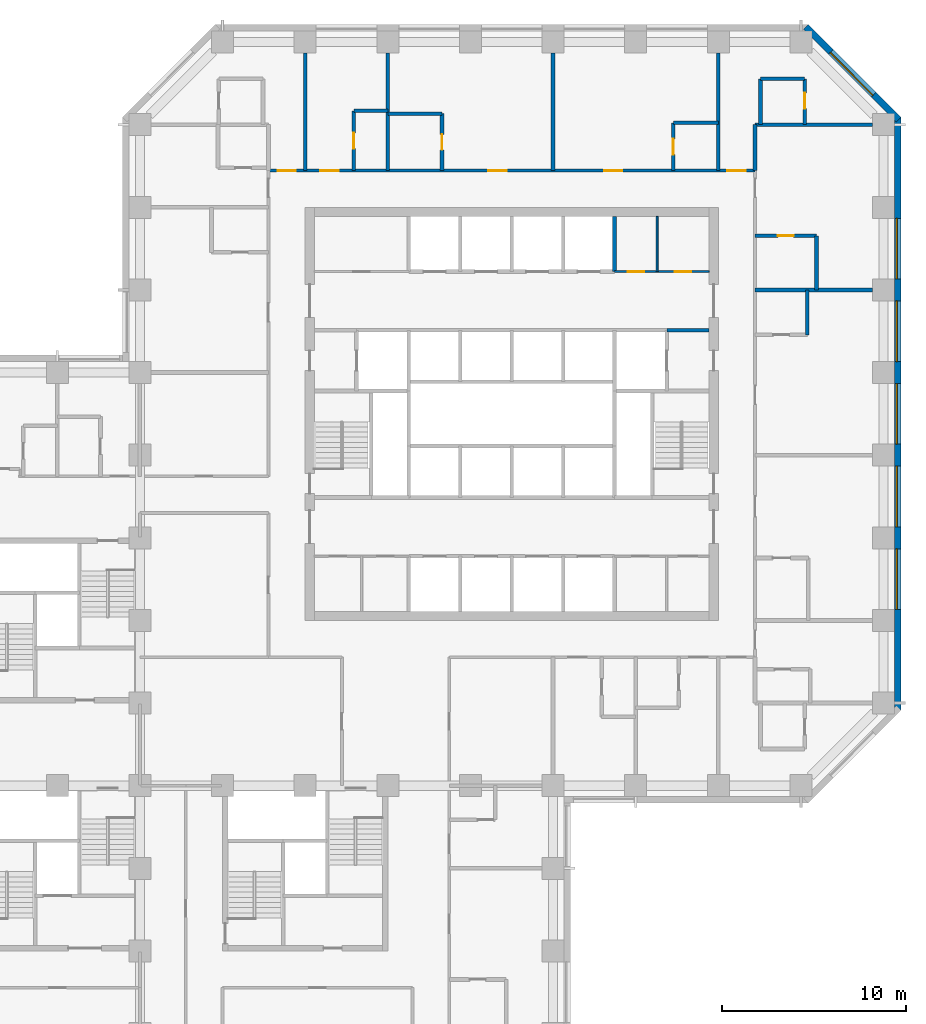
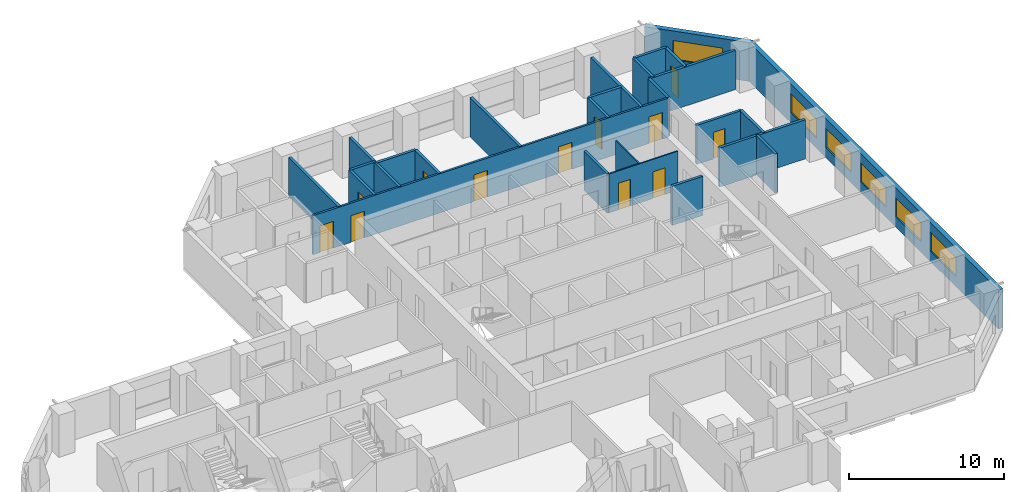
# One storey, part 10 of 13: 26 walls, 12 doors, 6 windows, 18 openings.
"""IFC4 building model written with IfcOpenShell, lengths in metres."""

from ifc_helpers import new_model, si_unit, direction, frame, frame_2d, origin, place, context, subcontext, project, spatial, rectangle, extrude, material, layer, layer_set, constituent, constituent_set, type_object, element, fill, save


model = new_model("IFC4")

# Units and contexts
model_context = context("Model", 3, precision=1e-05, world=origin(), true_north=direction((0.0, 1.0)))
body_context = subcontext(model_context, "Body", "Model", "MODEL_VIEW")
ifc_project = project(units=[si_unit("LENGTHUNIT", "METRE"), si_unit("AREAUNIT", "SQUARE_METRE"), si_unit("VOLUMEUNIT", "CUBIC_METRE"), si_unit("PLANEANGLEUNIT", "RADIAN"), si_unit("MASSUNIT", "GRAM", prefix="KILO")], contexts=[model_context])

# Site, building, storey
site_placement = place(None, origin())
site = spatial("IfcSite", under=ifc_project, at=site_placement, CompositionType="ELEMENT")
building_placement = place(site_placement, origin())
building = spatial("IfcBuilding", under=site, at=building_placement, Name="Quoin Convention Tower", CompositionType="ELEMENT")
storey_placement = place(building_placement, frame((0.0, 0.0, 62.699951171875)))
storey = spatial("IfcBuildingStorey", under=building, at=storey_placement, Name="L16", CompositionType="ELEMENT", Elevation=62.699951171875)

# Wall, openings, windows
ifc_material_1 = material(Name="Brick masonry", Category="masonry")
ifc_layer_1 = layer(ifc_material_1, 0.35009765625)
ifc_layer_set_1 = layer_set([ifc_layer_1], Name="Brick masonry")
wall_type_1 = type_object("IfcWallType", Name="Brick facade wall", PredefinedType="STANDARD", material=ifc_layer_set_1)
wall_1_placement = place(storey_placement, frame((77.27490234375, 44.6064453125, 0.0), z_axis=(0.0, 0.0, 1.0), x_axis=(0.0, 1.0, 0.0)))
wall_1 = element("IfcWall", 1, at=wall_1_placement, inside=storey, type_object=wall_type_1, Name="fw-L16-76500_45000", PredefinedType="STANDARD", context=body_context, shape_type="SweptSolid", body=[
    extrude(rectangle(XDim=32.287109375, YDim=0.35009765625, at=frame_2d((16.1435546875, 0.0))), origin(), (0.0, 0.0, 1.0), 3.054931640625),
])
opening_1_placement = place(wall_1_placement, frame((5.493408203125, 0.0, 0.800048828125)))
opening_1 = element("IfcOpeningElement", 2, at=opening_1_placement, cuts=wall_1, Name="Opening W-01", PredefinedType="OPENING", context=body_context, shape_type="SweptSolid", body=[
    extrude(rectangle(XDim=3.300048828125, YDim=1.5, at=frame_2d((1.64990234375, 0.75))), frame((0.0, 0.18505859375, 0.0), z_axis=(0.0, -1.0, 0.0), x_axis=(1.0, 0.0, 0.0)), (0.0, 0.0, 1.0), 0.3701171875),
])
opening_2_placement = place(wall_1_placement, frame((9.993408203125, 0.0, 0.800048828125)))
opening_2 = element("IfcOpeningElement", 3, at=opening_2_placement, cuts=wall_1, Name="Opening W-01", PredefinedType="OPENING", context=body_context, shape_type="SweptSolid", body=[
    extrude(rectangle(XDim=3.300048828125, YDim=1.5, at=frame_2d((1.64990234375, 0.75))), frame((0.0, 0.18505859375, 0.0), z_axis=(0.0, -1.0, 0.0), x_axis=(1.0, 0.0, 0.0)), (0.0, 0.0, 1.0), 0.3701171875),
])
opening_3_placement = place(wall_1_placement, frame((14.493408203125, 0.0, 0.800048828125)))
opening_3 = element("IfcOpeningElement", 4, at=opening_3_placement, cuts=wall_1, Name="Opening W-01", PredefinedType="OPENING", context=body_context, shape_type="SweptSolid", body=[
    extrude(rectangle(XDim=3.300048828125, YDim=1.5, at=frame_2d((1.64990234375, 0.75))), frame((0.0, 0.18505859375, 0.0), z_axis=(0.0, -1.0, 0.0), x_axis=(1.0, 0.0, 0.0)), (0.0, 0.0, 1.0), 0.3701171875),
])
opening_4_placement = place(wall_1_placement, frame((18.993408203125, 0.0, 0.800048828125)))
opening_4 = element("IfcOpeningElement", 5, at=opening_4_placement, cuts=wall_1, Name="Opening W-01", PredefinedType="OPENING", context=body_context, shape_type="SweptSolid", body=[
    extrude(rectangle(XDim=3.300048828125, YDim=1.5, at=frame_2d((1.64990234375, 0.75))), frame((0.0, 0.18505859375, 0.0), z_axis=(0.0, -1.0, 0.0), x_axis=(1.0, 0.0, 0.0)), (0.0, 0.0, 1.0), 0.3701171875),
])
opening_5_placement = place(wall_1_placement, frame((23.493408203125, 0.0, 0.800048828125)))
opening_5 = element("IfcOpeningElement", 6, at=opening_5_placement, cuts=wall_1, Name="Opening W-01", PredefinedType="OPENING", context=body_context, shape_type="SweptSolid", body=[
    extrude(rectangle(XDim=3.300048828125, YDim=1.5, at=frame_2d((1.64990234375, 0.75))), frame((0.0, 0.18505859375, 0.0), z_axis=(0.0, -1.0, 0.0), x_axis=(1.0, 0.0, 0.0)), (0.0, 0.0, 1.0), 0.3701171875),
])
ifc_material_2 = material(Name="Aluminium", Category="aluminium")
ifc_constituent_1 = constituent(ifc_material_2, Name="Frame")
ifc_material_3 = material(Name="Insulated glass", Category="glass")
ifc_constituent_2 = constituent(ifc_material_3, Name="Glazing")
ifc_constituent_set = constituent_set(constituents=[ifc_constituent_1, ifc_constituent_2], Name="Aluminium")
window_type = type_object("IfcWindowType", Name="Hotel strip window", PartitioningType="DOUBLE_PANEL_VERTICAL", PredefinedType="WINDOW", material=ifc_constituent_set)
window_1_placement = place(opening_1_placement, origin())
window_1 = element("IfcWindow", 7, at=window_1_placement, inside=storey, type_object=window_type, Name="win-L16-77275_51750", OverallHeight=1.5, OverallWidth=3.300048828125, PartitioningType="SINGLE_PANEL", PredefinedType="WINDOW", context=body_context, shape_type="SweptSolid", body=[
    extrude(rectangle(XDim=3.300048828125, YDim=1.5, at=frame_2d((1.64990234375, 0.75))), frame((0.0, 0.0849609375, 0.0), z_axis=(0.0, -1.0, 0.0), x_axis=(1.0, 0.0, 0.0)), (0.0, 0.0, 1.0), 0.06005859375),
])
fill(opening_1, window_1)
window_2_placement = place(opening_2_placement, origin())
window_2 = element("IfcWindow", 8, at=window_2_placement, inside=storey, type_object=window_type, Name="win-L16-77275_56250", OverallHeight=1.5, OverallWidth=3.300048828125, PartitioningType="SINGLE_PANEL", PredefinedType="WINDOW", context=body_context, shape_type="SweptSolid", body=[
    extrude(rectangle(XDim=3.300048828125, YDim=1.5, at=frame_2d((1.64990234375, 0.75))), frame((0.0, 0.0849609375, 0.0), z_axis=(0.0, -1.0, 0.0), x_axis=(1.0, 0.0, 0.0)), (0.0, 0.0, 1.0), 0.06005859375),
])
fill(opening_2, window_2)
window_3_placement = place(opening_3_placement, origin())
window_3 = element("IfcWindow", 9, at=window_3_placement, inside=storey, type_object=window_type, Name="win-L16-77275_60750", OverallHeight=1.5, OverallWidth=3.300048828125, PartitioningType="SINGLE_PANEL", PredefinedType="WINDOW", context=body_context, shape_type="SweptSolid", body=[
    extrude(rectangle(XDim=3.300048828125, YDim=1.5, at=frame_2d((1.64990234375, 0.75))), frame((0.0, 0.0849609375, 0.0), z_axis=(0.0, -1.0, 0.0), x_axis=(1.0, 0.0, 0.0)), (0.0, 0.0, 1.0), 0.06005859375),
])
fill(opening_3, window_3)
window_4_placement = place(opening_4_placement, origin())
window_4 = element("IfcWindow", 10, at=window_4_placement, inside=storey, type_object=window_type, Name="win-L16-77275_65250", OverallHeight=1.5, OverallWidth=3.300048828125, PartitioningType="SINGLE_PANEL", PredefinedType="WINDOW", context=body_context, shape_type="SweptSolid", body=[
    extrude(rectangle(XDim=3.300048828125, YDim=1.5, at=frame_2d((1.64990234375, 0.75))), frame((0.0, 0.0849609375, 0.0), z_axis=(0.0, -1.0, 0.0), x_axis=(1.0, 0.0, 0.0)), (0.0, 0.0, 1.0), 0.06005859375),
])
fill(opening_4, window_4)
window_5_placement = place(opening_5_placement, origin())
window_5 = element("IfcWindow", 11, at=window_5_placement, inside=storey, type_object=window_type, Name="win-L16-77275_69750", OverallHeight=1.5, OverallWidth=3.300048828125, PartitioningType="SINGLE_PANEL", PredefinedType="WINDOW", context=body_context, shape_type="SweptSolid", body=[
    extrude(rectangle(XDim=3.300048828125, YDim=1.5, at=frame_2d((1.64990234375, 0.75))), frame((0.0, 0.0849609375, 0.0), z_axis=(0.0, -1.0, 0.0), x_axis=(1.0, 0.0, 0.0)), (0.0, 0.0, 1.0), 0.06005859375),
])
fill(opening_5, window_5)

# Wall, opening, window
wall_2_placement = place(storey_placement, frame((77.326416015625, 76.769775390625, 0.0), z_axis=(0.0, 0.0, 1.0), x_axis=(-0.707106781187, 0.707106781187, 0.0)))
wall_2 = element("IfcWall", 12, at=wall_2_placement, inside=storey, type_object=wall_type_1, Name="fw-L16-76500_76500", PredefinedType="STANDARD", context=body_context, shape_type="SweptSolid", body=[
    extrude(rectangle(XDim=7.151123046875, YDim=0.35009765625, at=frame_2d((3.57568359375, 0.0))), origin(), (0.0, 0.0, 1.0), 3.054931640625),
])
opening_6_placement = place(wall_2_placement, frame((1.925537109375, 0.0, 0.800048828125)))
opening_6 = element("IfcOpeningElement", 13, at=opening_6_placement, cuts=wall_2, Name="Opening W-01", PredefinedType="OPENING", context=body_context, shape_type="SweptSolid", body=[
    extrude(rectangle(XDim=3.300048828125, YDim=1.5, at=frame_2d((1.64990234375, 0.75))), frame((0.0, 0.18505859375, 0.0), z_axis=(0.0, -1.0, 0.0), x_axis=(1.0, 0.0, 0.0)), (0.0, 0.0, 1.0), 0.3701171875),
])
window_6_placement = place(opening_6_placement, origin())
window_6 = element("IfcWindow", 14, at=window_6_placement, inside=storey, type_object=window_type, Name="win-L16-74798_79298", OverallHeight=1.5, OverallWidth=3.300048828125, PartitioningType="SINGLE_PANEL", PredefinedType="WINDOW", context=body_context, shape_type="SweptSolid", body=[
    extrude(rectangle(XDim=3.300048828125, YDim=1.5, at=frame_2d((1.64990234375, 0.75))), frame((0.0, 0.0849609375, 0.0), z_axis=(0.0, -1.0, 0.0), x_axis=(1.0, 0.0, 0.0)), (0.0, 0.0, 1.0), 0.06005859375),
])
fill(opening_6, window_6)

# Wall, openings, doors
ifc_material_4 = material(Name="Plasterboard")
ifc_layer_2 = layer(ifc_material_4, 0.012451171875, Name="Finish")
ifc_material_5 = material(Name="Steel stud framing", Category="steel")
ifc_layer_3 = layer(ifc_material_5, 0.074951171875, Name="Structure")
ifc_layer_4 = layer(ifc_material_4, 0.012451171875, Name="Finish")
ifc_layer_set_2 = layer_set([ifc_layer_2, ifc_layer_3, ifc_layer_4], Name="Steel stud framing")
wall_type_2 = type_object("IfcWallType", Name="Core partition wall", PredefinedType="PARTITIONING", material=ifc_layer_set_2)
wall_3_placement = place(storey_placement, frame((61.85009765625, 68.5, 0.0), z_axis=(0.0, 0.0, 1.0), x_axis=(1.0, 0.0, 0.0)))
wall_3 = element("IfcWall", 15, at=wall_3_placement, inside=storey, type_object=wall_type_2, Name="cr-C1-L16-h19000_16850", PredefinedType="PARTITIONING", context=body_context, shape_type="SweptSolid", body=[
    extrude(rectangle(XDim=5.14990234375, YDim=0.10009765625, at=frame_2d((2.574951171875, 0.0))), origin(), (0.0, 0.0, 1.0), 3.080078125),
])
opening_7_placement = place(wall_3_placement, frame((3.28369140625, 0.0, 0.0)))
opening_7 = element("IfcOpeningElement", 16, at=opening_7_placement, cuts=wall_3, Name="Opening DCV0-08", PredefinedType="OPENING", context=body_context, shape_type="SweptSolid", body=[
    extrude(rectangle(XDim=0.89990234375, YDim=2.10009765625, at=frame_2d((0.449951171875, 1.050048828125))), frame((0.0, 0.06005859375, 0.0), z_axis=(0.0, -1.0, 0.0), x_axis=(1.0, 0.0, 0.0)), (0.0, 0.0, 1.0), 0.1201171875),
])
opening_8_placement = place(wall_3_placement, frame((0.708740234375, 0.0, 0.0)))
opening_8 = element("IfcOpeningElement", 17, at=opening_8_placement, cuts=wall_3, Name="Opening DCV0-05", PredefinedType="OPENING", context=body_context, shape_type="SweptSolid", body=[
    extrude(rectangle(XDim=0.89990234375, YDim=2.10009765625, at=frame_2d((0.449951171875, 1.050048828125))), frame((0.0, 0.06005859375, 0.0), z_axis=(0.0, -1.0, 0.0), x_axis=(1.0, 0.0, 0.0)), (0.0, 0.0, 1.0), 0.1201171875),
])
ifc_material_6 = material(Name="Steel door leaf", Category="steel")
door_type_1 = type_object("IfcDoorType", Name="Core room door 900 x 2100", OperationType="SINGLE_SWING_LEFT", PredefinedType="DOOR", material=ifc_material_6)
door_1_placement = place(opening_7_placement, origin())
door_1 = element("IfcDoor", 18, at=door_1_placement, inside=storey, type_object=door_type_1, Name="cd-C1-L16-CNE0-lobB-CD1607", OperationType="SINGLE_SWING_RIGHT", OverallHeight=2.10009765625, OverallWidth=0.89990234375, PredefinedType="DOOR", context=body_context, shape_type="SweptSolid", body=[
    extrude(rectangle(XDim=0.89990234375, YDim=2.10009765625, at=frame_2d((0.449951171875, 1.050048828125))), frame((0.0, 0.02490234375, 0.0), z_axis=(0.0, -1.0, 0.0), x_axis=(1.0, 0.0, 0.0)), (0.0, 0.0, 1.0), 0.050048828125),
])
fill(opening_7, door_1)
door_2_placement = place(opening_8_placement, origin())
door_2 = element("IfcDoor", 19, at=door_2_placement, inside=storey, type_object=door_type_1, Name="cd-C1-L16-CNE1-lobB-CD1608", OperationType="SINGLE_SWING_LEFT", OverallHeight=2.10009765625, OverallWidth=0.89990234375, PredefinedType="DOOR", context=body_context, shape_type="SweptSolid", body=[
    extrude(rectangle(XDim=0.89990234375, YDim=2.10009765625, at=frame_2d((0.449951171875, 1.050048828125))), frame((0.0, 0.02490234375, 0.0), z_axis=(0.0, -1.0, 0.0), x_axis=(1.0, 0.0, 0.0)), (0.0, 0.0, 1.0), 0.050048828125),
])
fill(opening_8, door_2)

# Walls
wall_4_placement = place(storey_placement, frame((64.16748046875, 68.5, 0.0), z_axis=(0.0, 0.0, 1.0), x_axis=(0.0, 1.0, 0.0)))
element("IfcWall", 20, at=wall_4_placement, inside=storey, type_object=wall_type_2, Name="cr-C1-L16-v19168_19000", PredefinedType="PARTITIONING", context=body_context, shape_type="SweptSolid", body=[
    extrude(rectangle(XDim=3.0, YDim=0.10009765625, at=frame_2d((1.5, 0.0))), origin(), (0.0, 0.0, 1.0), 3.080078125),
])
ifc_material_7 = material(Name="Concrete C50", Category="concrete")
ifc_layer_5 = layer(ifc_material_7, 0.199951171875)
ifc_layer_set_3 = layer_set([ifc_layer_5], Name="Concrete C50")
wall_type_3 = type_object("IfcWallType", Name="Core shaft wall", PredefinedType="SOLIDWALL", material=ifc_layer_set_3)
wall_5_placement = place(storey_placement, frame((64.699951171875, 65.300048828125, 0.0), z_axis=(0.0, 0.0, 1.0), x_axis=(1.0, 0.0, 0.0)))
element("IfcWall", 21, at=wall_5_placement, inside=storey, type_object=wall_type_3, Name="cr-C1-L16-h15800_19700", PredefinedType="SOLIDWALL", context=body_context, shape_type="SweptSolid", body=[
    extrude(rectangle(XDim=2.300048828125, YDim=0.199951171875, at=frame_2d((1.14990234375, 0.0))), origin(), (0.0, 0.0, 1.0), 3.080078125),
])
wall_6_placement = place(storey_placement, frame((61.85009765625, 68.5, 0.0), z_axis=(0.0, 0.0, 1.0), x_axis=(0.0, 1.0, 0.0)))
element("IfcWall", 22, at=wall_6_placement, inside=storey, type_object=wall_type_3, Name="cr-C1-L16-v16850_19000", PredefinedType="SOLIDWALL", context=body_context, shape_type="SweptSolid", body=[
    extrude(rectangle(XDim=3.0, YDim=0.199951171875, at=frame_2d((1.5, 0.0))), origin(), (0.0, 0.0, 1.0), 3.080078125),
])
ifc_layer_6 = layer(ifc_material_7, 0.199951171875)
ifc_layer_set_4 = layer_set([ifc_layer_6], Name="Concrete C50")
wall_type_4 = type_object("IfcWallType", Name="RC party wall", PredefinedType="SOLIDWALL", material=ifc_layer_set_4)
wall_7_placement = place(storey_placement, frame((72.35009765625, 65.050048828125, 0.0), z_axis=(0.0, 0.0, 1.0), x_axis=(0.0, 1.0, 0.0)))
element("IfcWall", 23, at=wall_7_placement, inside=storey, type_object=wall_type_4, Name="pw-L16-110", PredefinedType="SOLIDWALL", context=body_context, shape_type="SweptSolid", body=[
    extrude(rectangle(XDim=2.449951171875, YDim=0.199951171875, at=frame_2d((1.22509765625, 0.0))), origin(), (0.0, 0.0, 1.0), 3.080078125),
])
wall_8_placement = place(storey_placement, frame((69.5, 67.5, 0.0), z_axis=(0.0, 0.0, 1.0), x_axis=(1.0, 0.0, 0.0)))
element("IfcWall", 24, at=wall_8_placement, inside=storey, type_object=wall_type_4, Name="pw-L16-111", PredefinedType="SOLIDWALL", context=body_context, shape_type="SweptSolid", body=[
    extrude(rectangle(XDim=6.39990234375, YDim=0.199951171875, at=frame_2d((3.199951171875, 0.0))), origin(), (0.0, 0.0, 1.0), 3.080078125),
])
wall_9_placement = place(storey_placement, frame((72.85009765625, 67.5, 0.0), z_axis=(0.0, 0.0, 1.0), x_axis=(0.0, 1.0, 0.0)))
element("IfcWall", 25, at=wall_9_placement, inside=storey, type_object=wall_type_4, Name="pw-L16-112", PredefinedType="SOLIDWALL", context=body_context, shape_type="SweptSolid", body=[
    extrude(rectangle(XDim=2.949951171875, YDim=0.199951171875, at=frame_2d((1.47509765625, 0.0))), origin(), (0.0, 0.0, 1.0), 3.080078125),
])

# Wall, opening, door
wall_10_placement = place(storey_placement, frame((69.5, 70.449951171875, 0.0), z_axis=(0.0, 0.0, 1.0), x_axis=(1.0, 0.0, 0.0)))
wall_10 = element("IfcWall", 26, at=wall_10_placement, inside=storey, type_object=wall_type_4, Name="pw-L16-115", PredefinedType="SOLIDWALL", context=body_context, shape_type="SweptSolid", body=[
    extrude(rectangle(XDim=3.35009765625, YDim=0.199951171875, at=frame_2d((1.675048828125, 0.0))), origin(), (0.0, 0.0, 1.0), 3.080078125),
])
opening_9_placement = place(wall_10_placement, frame((1.25, 0.0, 0.0)))
opening_9 = element("IfcOpeningElement", 27, at=opening_9_placement, cuts=wall_10, Name="Opening DHOTEL-E-56", PredefinedType="OPENING", context=body_context, shape_type="SweptSolid", body=[
    extrude(rectangle(XDim=0.85009765625, YDim=2.10009765625, at=frame_2d((0.425048828125, 1.050048828125))), frame((0.0, 0.10986328125, 0.0), z_axis=(0.0, -1.0, 0.0), x_axis=(1.0, 0.0, 0.0)), (0.0, 0.0, 1.0), 0.219970703125),
])
door_type_2 = type_object("IfcDoorType", Name="Bathroom door", OperationType="SINGLE_SWING_LEFT", PredefinedType="DOOR", material=ifc_material_6)
door_3_placement = place(opening_9_placement, origin())
door_3 = element("IfcDoor", 28, at=door_3_placement, inside=storey, type_object=door_type_2, Name="dr-L16-038", OperationType="SINGLE_SWING_LEFT", OverallHeight=2.10009765625, OverallWidth=0.85009765625, PredefinedType="DOOR", context=body_context, shape_type="SweptSolid", body=[
    extrude(rectangle(XDim=0.85009765625, YDim=2.10009765625, at=frame_2d((0.425048828125, 1.050048828125))), frame((0.0, 0.02490234375, 0.0), z_axis=(0.0, -1.0, 0.0), x_axis=(1.0, 0.0, 0.0)), (0.0, 0.0, 1.0), 0.050048828125),
])
fill(opening_9, door_3)

# Wall
wall_11_placement = place(storey_placement, frame((45.0, 74.0, 0.0), z_axis=(0.0, 0.0, 1.0), x_axis=(0.0, 1.0, 0.0)))
element("IfcWall", 29, at=wall_11_placement, inside=storey, type_object=wall_type_4, Name="pw-L16-118", PredefinedType="SOLIDWALL", context=body_context, shape_type="SweptSolid", body=[
    extrude(rectangle(XDim=6.39990234375, YDim=0.199951171875, at=frame_2d((3.199951171875, 0.0))), origin(), (0.0, 0.0, 1.0), 3.080078125),
])

# Wall, opening, door
wall_12_placement = place(storey_placement, frame((47.64990234375, 74.0, 0.0), z_axis=(0.0, 0.0, 1.0), x_axis=(0.0, 1.0, 0.0)))
wall_12 = element("IfcWall", 30, at=wall_12_placement, inside=storey, type_object=wall_type_4, Name="pw-L16-119", PredefinedType="SOLIDWALL", context=body_context, shape_type="SweptSolid", body=[
    extrude(rectangle(XDim=3.25, YDim=0.199951171875, at=frame_2d((1.625, 0.0))), origin(), (0.0, 0.0, 1.0), 3.080078125),
])
opening_10_placement = place(wall_12_placement, frame((1.199951171875, 0.0, 0.0)))
opening_10 = element("IfcOpeningElement", 31, at=opening_10_placement, cuts=wall_12, Name="Opening DHOTEL-E-57", PredefinedType="OPENING", context=body_context, shape_type="SweptSolid", body=[
    extrude(rectangle(XDim=0.85009765625, YDim=2.10009765625, at=frame_2d((0.425048828125, 1.050048828125))), frame((0.0, 0.10986328125, 0.0), z_axis=(0.0, -1.0, 0.0), x_axis=(1.0, 0.0, 0.0)), (0.0, 0.0, 1.0), 0.219970703125),
])
door_4_placement = place(opening_10_placement, origin())
door_4 = element("IfcDoor", 32, at=door_4_placement, inside=storey, type_object=door_type_2, Name="dr-L16-032", OperationType="SINGLE_SWING_LEFT", OverallHeight=2.10009765625, OverallWidth=0.85009765625, PredefinedType="DOOR", context=body_context, shape_type="SweptSolid", body=[
    extrude(rectangle(XDim=0.85009765625, YDim=2.10009765625, at=frame_2d((0.425048828125, 1.050048828125))), frame((0.0, 0.02490234375, 0.0), z_axis=(0.0, -1.0, 0.0), x_axis=(1.0, 0.0, 0.0)), (0.0, 0.0, 1.0), 0.050048828125),
])
fill(opening_10, door_4)

# Wall
wall_13_placement = place(storey_placement, frame((49.5, 74.0, 0.0), z_axis=(0.0, 0.0, 1.0), x_axis=(0.0, 1.0, 0.0)))
element("IfcWall", 33, at=wall_13_placement, inside=storey, type_object=wall_type_4, Name="pw-L16-120", PredefinedType="SOLIDWALL", context=body_context, shape_type="SweptSolid", body=[
    extrude(rectangle(XDim=6.39990234375, YDim=0.199951171875, at=frame_2d((3.199951171875, 0.0))), origin(), (0.0, 0.0, 1.0), 3.080078125),
])

# Wall, opening, door
wall_14_placement = place(storey_placement, frame((52.449951171875, 74.0, 0.0), z_axis=(0.0, 0.0, 1.0), x_axis=(0.0, 1.0, 0.0)))
wall_14 = element("IfcWall", 34, at=wall_14_placement, inside=storey, type_object=wall_type_4, Name="pw-L16-121", PredefinedType="SOLIDWALL", context=body_context, shape_type="SweptSolid", body=[
    extrude(rectangle(XDim=3.10009765625, YDim=0.199951171875, at=frame_2d((1.550048828125, 0.0))), origin(), (0.0, 0.0, 1.0), 3.080078125),
])
opening_11_placement = place(wall_14_placement, frame((1.125, 0.0, 0.0)))
opening_11 = element("IfcOpeningElement", 35, at=opening_11_placement, cuts=wall_14, Name="Opening DHOTEL-E-58", PredefinedType="OPENING", context=body_context, shape_type="SweptSolid", body=[
    extrude(rectangle(XDim=0.85009765625, YDim=2.10009765625, at=frame_2d((0.425048828125, 1.050048828125))), frame((0.0, 0.10986328125, 0.0), z_axis=(0.0, -1.0, 0.0), x_axis=(1.0, 0.0, 0.0)), (0.0, 0.0, 1.0), 0.219970703125),
])
door_5_placement = place(opening_11_placement, frame((0.85009765625, 0.0, 0.0), z_axis=(0.0, 0.0, 1.0), x_axis=(-1.0, 0.0, 0.0)))
door_5 = element("IfcDoor", 36, at=door_5_placement, inside=storey, type_object=door_type_2, Name="dr-L16-034", OperationType="SINGLE_SWING_RIGHT", OverallHeight=2.10009765625, OverallWidth=0.85009765625, PredefinedType="DOOR", context=body_context, shape_type="SweptSolid", body=[
    extrude(rectangle(XDim=0.85009765625, YDim=2.10009765625, at=frame_2d((0.425048828125, 1.050048828125))), frame((0.0, 0.02490234375, 0.0), z_axis=(0.0, -1.0, 0.0), x_axis=(1.0, 0.0, 0.0)), (0.0, 0.0, 1.0), 0.050048828125),
])
fill(opening_11, door_5)

# Wall
wall_15_placement = place(storey_placement, frame((58.5, 74.0, 0.0), z_axis=(0.0, 0.0, 1.0), x_axis=(0.0, 1.0, 0.0)))
element("IfcWall", 37, at=wall_15_placement, inside=storey, type_object=wall_type_4, Name="pw-L16-122", PredefinedType="SOLIDWALL", context=body_context, shape_type="SweptSolid", body=[
    extrude(rectangle(XDim=6.39990234375, YDim=0.199951171875, at=frame_2d((3.199951171875, 0.0))), origin(), (0.0, 0.0, 1.0), 3.080078125),
])

# Wall, opening, door
wall_16_placement = place(storey_placement, frame((65.050048828125, 74.0, 0.0), z_axis=(0.0, 0.0, 1.0), x_axis=(0.0, 1.0, 0.0)))
wall_16 = element("IfcWall", 38, at=wall_16_placement, inside=storey, type_object=wall_type_4, Name="pw-L16-123", PredefinedType="SOLIDWALL", context=body_context, shape_type="SweptSolid", body=[
    extrude(rectangle(XDim=2.60009765625, YDim=0.199951171875, at=frame_2d((1.300048828125, 0.0))), origin(), (0.0, 0.0, 1.0), 3.080078125),
])
opening_12_placement = place(wall_16_placement, frame((0.875, 0.0, 0.0)))
opening_12 = element("IfcOpeningElement", 39, at=opening_12_placement, cuts=wall_16, Name="Opening DHOTEL-E-59", PredefinedType="OPENING", context=body_context, shape_type="SweptSolid", body=[
    extrude(rectangle(XDim=0.85009765625, YDim=2.10009765625, at=frame_2d((0.425048828125, 1.050048828125))), frame((0.0, 0.10986328125, 0.0), z_axis=(0.0, -1.0, 0.0), x_axis=(1.0, 0.0, 0.0)), (0.0, 0.0, 1.0), 0.219970703125),
])
door_6_placement = place(opening_12_placement, origin())
door_6 = element("IfcDoor", 40, at=door_6_placement, inside=storey, type_object=door_type_2, Name="dr-L16-036", OperationType="SINGLE_SWING_LEFT", OverallHeight=2.10009765625, OverallWidth=0.85009765625, PredefinedType="DOOR", context=body_context, shape_type="SweptSolid", body=[
    extrude(rectangle(XDim=0.85009765625, YDim=2.10009765625, at=frame_2d((0.425048828125, 1.050048828125))), frame((0.0, 0.02490234375, 0.0), z_axis=(0.0, -1.0, 0.0), x_axis=(1.0, 0.0, 0.0)), (0.0, 0.0, 1.0), 0.050048828125),
])
fill(opening_12, door_6)

# Walls
wall_17_placement = place(storey_placement, frame((67.5, 74.0, 0.0), z_axis=(0.0, 0.0, 1.0), x_axis=(0.0, 1.0, 0.0)))
element("IfcWall", 41, at=wall_17_placement, inside=storey, type_object=wall_type_4, Name="pw-L16-124", PredefinedType="SOLIDWALL", context=body_context, shape_type="SweptSolid", body=[
    extrude(rectangle(XDim=6.39990234375, YDim=0.199951171875, at=frame_2d((3.199951171875, 0.0))), origin(), (0.0, 0.0, 1.0), 3.080078125),
])
wall_18_placement = place(storey_placement, frame((69.5, 74.0, 0.0), z_axis=(0.0, 0.0, 1.0), x_axis=(0.0, 1.0, 0.0)))
element("IfcWall", 42, at=wall_18_placement, inside=storey, type_object=wall_type_4, Name="pw-L16-125", PredefinedType="SOLIDWALL", context=body_context, shape_type="SweptSolid", body=[
    extrude(rectangle(XDim=2.5, YDim=0.199951171875, at=frame_2d((1.25, 0.0))), origin(), (0.0, 0.0, 1.0), 3.080078125),
])
wall_19_placement = place(storey_placement, frame((69.5, 76.5, 0.0), z_axis=(0.0, 0.0, 1.0), x_axis=(1.0, 0.0, 0.0)))
element("IfcWall", 43, at=wall_19_placement, inside=storey, type_object=wall_type_4, Name="pw-L16-131", PredefinedType="SOLIDWALL", context=body_context, shape_type="SweptSolid", body=[
    extrude(rectangle(XDim=6.39990234375, YDim=0.199951171875, at=frame_2d((3.199951171875, 0.0))), origin(), (0.0, 0.0, 1.0), 3.080078125),
])
wall_20_placement = place(storey_placement, frame((69.800048828125, 76.5, 0.0), z_axis=(0.0, 0.0, 1.0), x_axis=(0.0, 1.0, 0.0)))
element("IfcWall", 44, at=wall_20_placement, inside=storey, type_object=wall_type_4, Name="pw-L16-132", PredefinedType="SOLIDWALL", context=body_context, shape_type="SweptSolid", body=[
    extrude(rectangle(XDim=2.5, YDim=0.199951171875, at=frame_2d((1.25, 0.0))), origin(), (0.0, 0.0, 1.0), 3.080078125),
])

# Wall, opening, door
wall_21_placement = place(storey_placement, frame((72.199951171875, 76.5, 0.0), z_axis=(0.0, 0.0, 1.0), x_axis=(0.0, 1.0, 0.0)))
wall_21 = element("IfcWall", 45, at=wall_21_placement, inside=storey, type_object=wall_type_4, Name="pw-L16-133", PredefinedType="SOLIDWALL", context=body_context, shape_type="SweptSolid", body=[
    extrude(rectangle(XDim=2.5, YDim=0.199951171875, at=frame_2d((1.25, 0.0))), origin(), (0.0, 0.0, 1.0), 3.080078125),
])
opening_13_placement = place(wall_21_placement, frame((0.875, 0.0, 0.0)))
opening_13 = element("IfcOpeningElement", 46, at=opening_13_placement, cuts=wall_21, Name="Opening DHOTEL-E-62", PredefinedType="OPENING", context=body_context, shape_type="SweptSolid", body=[
    extrude(rectangle(XDim=0.85009765625, YDim=2.10009765625, at=frame_2d((0.425048828125, 1.050048828125))), frame((0.0, 0.10986328125, 0.0), z_axis=(0.0, -1.0, 0.0), x_axis=(1.0, 0.0, 0.0)), (0.0, 0.0, 1.0), 0.219970703125),
])
door_7_placement = place(opening_13_placement, frame((0.85009765625, 0.0, 0.0), z_axis=(0.0, 0.0, 1.0), x_axis=(-1.0, 0.0, 0.0)))
door_7 = element("IfcDoor", 47, at=door_7_placement, inside=storey, type_object=door_type_2, Name="dr-L16-058", OperationType="SINGLE_SWING_LEFT", OverallHeight=2.10009765625, OverallWidth=0.85009765625, PredefinedType="DOOR", context=body_context, shape_type="SweptSolid", body=[
    extrude(rectangle(XDim=0.85009765625, YDim=2.10009765625, at=frame_2d((0.425048828125, 1.050048828125))), frame((0.0, 0.02490234375, 0.0), z_axis=(0.0, -1.0, 0.0), x_axis=(1.0, 0.0, 0.0)), (0.0, 0.0, 1.0), 0.050048828125),
])
fill(opening_13, door_7)

# Walls
wall_22_placement = place(storey_placement, frame((65.050048828125, 76.60009765625, 0.0), z_axis=(0.0, 0.0, 1.0), x_axis=(1.0, 0.0, 0.0)))
element("IfcWall", 48, at=wall_22_placement, inside=storey, type_object=wall_type_4, Name="pw-L16-134", PredefinedType="SOLIDWALL", context=body_context, shape_type="SweptSolid", body=[
    extrude(rectangle(XDim=2.449951171875, YDim=0.199951171875, at=frame_2d((1.22509765625, 0.0))), origin(), (0.0, 0.0, 1.0), 3.080078125),
])
wall_23_placement = place(storey_placement, frame((49.5, 77.10009765625, 0.0), z_axis=(0.0, 0.0, 1.0), x_axis=(1.0, 0.0, 0.0)))
element("IfcWall", 49, at=wall_23_placement, inside=storey, type_object=wall_type_4, Name="pw-L16-135", PredefinedType="SOLIDWALL", context=body_context, shape_type="SweptSolid", body=[
    extrude(rectangle(XDim=2.949951171875, YDim=0.199951171875, at=frame_2d((1.47509765625, 0.0))), origin(), (0.0, 0.0, 1.0), 3.080078125),
])
wall_24_placement = place(storey_placement, frame((47.64990234375, 77.25, 0.0), z_axis=(0.0, 0.0, 1.0), x_axis=(1.0, 0.0, 0.0)))
element("IfcWall", 50, at=wall_24_placement, inside=storey, type_object=wall_type_4, Name="pw-L16-136", PredefinedType="SOLIDWALL", context=body_context, shape_type="SweptSolid", body=[
    extrude(rectangle(XDim=1.85009765625, YDim=0.199951171875, at=frame_2d((0.925048828125, 0.0))), origin(), (0.0, 0.0, 1.0), 3.080078125),
])
wall_25_placement = place(storey_placement, frame((69.800048828125, 79.0, 0.0), z_axis=(0.0, 0.0, 1.0), x_axis=(1.0, 0.0, 0.0)))
element("IfcWall", 51, at=wall_25_placement, inside=storey, type_object=wall_type_4, Name="pw-L16-138", PredefinedType="SOLIDWALL", context=body_context, shape_type="SweptSolid", body=[
    extrude(rectangle(XDim=2.39990234375, YDim=0.199951171875, at=frame_2d((1.199951171875, 0.0))), origin(), (0.0, 0.0, 1.0), 3.080078125),
])

# Wall, openings, doors
ifc_layer_7 = layer(ifc_material_4, 0.012451171875, Name="Finish")
ifc_layer_8 = layer(ifc_material_5, 0.125, Name="Structure")
ifc_layer_9 = layer(ifc_material_4, 0.012451171875, Name="Finish")
ifc_layer_set_5 = layer_set([ifc_layer_7, ifc_layer_8, ifc_layer_9], Name="Steel stud framing")
wall_type_5 = type_object("IfcWallType", Name="corridor partition", PredefinedType="PARTITIONING", material=ifc_layer_set_5)
wall_26_placement = place(storey_placement, frame((43.0, 74.0, 0.0), z_axis=(0.0, 0.0, 1.0), x_axis=(1.0, 0.0, 0.0)))
wall_26 = element("IfcWall", 52, at=wall_26_placement, inside=storey, type_object=wall_type_5, Name="pw-L16-038", PredefinedType="PARTITIONING", context=body_context, shape_type="SweptSolid", body=[
    extrude(rectangle(XDim=26.5, YDim=0.14990234375, at=frame_2d((13.25, 0.0))), origin(), (0.0, 0.0, 1.0), 3.080078125),
])
opening_14_placement = place(wall_26_placement, frame((2.824951171875, 0.0, 0.0)))
opening_14 = element("IfcOpeningElement", 53, at=opening_14_placement, cuts=wall_26, Name="Opening DHOTEL-E-32", PredefinedType="OPENING", context=body_context, shape_type="SweptSolid", body=[
    extrude(rectangle(XDim=1.0, YDim=2.10009765625, at=frame_2d((0.5, 1.050048828125))), frame((0.0, 0.0849609375, 0.0), z_axis=(0.0, -1.0, 0.0), x_axis=(1.0, 0.0, 0.0)), (0.0, 0.0, 1.0), 0.169921875),
])
opening_15_placement = place(wall_26_placement, frame((11.97509765625, 0.0, 0.0)))
opening_15 = element("IfcOpeningElement", 54, at=opening_15_placement, cuts=wall_26, Name="Opening DHOTEL-E-33", PredefinedType="OPENING", context=body_context, shape_type="SweptSolid", body=[
    extrude(rectangle(XDim=1.0, YDim=2.10009765625, at=frame_2d((0.5, 1.050048828125))), frame((0.0, 0.0849609375, 0.0), z_axis=(0.0, -1.0, 0.0), x_axis=(1.0, 0.0, 0.0)), (0.0, 0.0, 1.0), 0.169921875),
])
opening_16_placement = place(wall_26_placement, frame((18.27490234375, 0.0, 0.0)))
opening_16 = element("IfcOpeningElement", 55, at=opening_16_placement, cuts=wall_26, Name="Opening DHOTEL-E-34", PredefinedType="OPENING", context=body_context, shape_type="SweptSolid", body=[
    extrude(rectangle(XDim=1.0, YDim=2.10009765625, at=frame_2d((0.5, 1.050048828125))), frame((0.0, 0.0849609375, 0.0), z_axis=(0.0, -1.0, 0.0), x_axis=(1.0, 0.0, 0.0)), (0.0, 0.0, 1.0), 0.169921875),
])
opening_17_placement = place(wall_26_placement, frame((0.5, 0.0, 0.0)))
opening_17 = element("IfcOpeningElement", 56, at=opening_17_placement, cuts=wall_26, Name="Opening DHOTEL-E-31", PredefinedType="OPENING", context=body_context, shape_type="SweptSolid", body=[
    extrude(rectangle(XDim=1.0, YDim=2.10009765625, at=frame_2d((0.5, 1.050048828125))), frame((0.0, 0.0849609375, 0.0), z_axis=(0.0, -1.0, 0.0), x_axis=(1.0, 0.0, 0.0)), (0.0, 0.0, 1.0), 0.169921875),
])
opening_18_placement = place(wall_26_placement, frame((25.0, 0.0, 0.0)))
opening_18 = element("IfcOpeningElement", 57, at=opening_18_placement, cuts=wall_26, Name="Opening DHOTEL-E-35", PredefinedType="OPENING", context=body_context, shape_type="SweptSolid", body=[
    extrude(rectangle(XDim=1.0, YDim=2.10009765625, at=frame_2d((0.5, 1.050048828125))), frame((0.0, 0.0849609375, 0.0), z_axis=(0.0, -1.0, 0.0), x_axis=(1.0, 0.0, 0.0)), (0.0, 0.0, 1.0), 0.169921875),
])
door_type_3 = type_object("IfcDoorType", Name="Hotel room door", OperationType="SINGLE_SWING_LEFT", PredefinedType="DOOR", material=ifc_material_6)
door_8_placement = place(opening_14_placement, origin())
door_8 = element("IfcDoor", 58, at=door_8_placement, inside=storey, type_object=door_type_3, Name="dr-L16-031", OperationType="SINGLE_SWING_RIGHT", OverallHeight=2.10009765625, OverallWidth=1.0, PredefinedType="DOOR", context=body_context, shape_type="SweptSolid", body=[
    extrude(rectangle(XDim=1.0, YDim=2.10009765625, at=frame_2d((0.5, 1.050048828125))), frame((0.0, 0.02490234375, 0.0), z_axis=(0.0, -1.0, 0.0), x_axis=(1.0, 0.0, 0.0)), (0.0, 0.0, 1.0), 0.050048828125),
])
fill(opening_14, door_8)
door_9_placement = place(opening_15_placement, origin())
door_9 = element("IfcDoor", 59, at=door_9_placement, inside=storey, type_object=door_type_3, Name="dr-L16-033", OperationType="SINGLE_SWING_RIGHT", OverallHeight=2.10009765625, OverallWidth=1.0, PredefinedType="DOOR", context=body_context, shape_type="SweptSolid", body=[
    extrude(rectangle(XDim=1.0, YDim=2.10009765625, at=frame_2d((0.5, 1.050048828125))), frame((0.0, 0.02490234375, 0.0), z_axis=(0.0, -1.0, 0.0), x_axis=(1.0, 0.0, 0.0)), (0.0, 0.0, 1.0), 0.050048828125),
])
fill(opening_15, door_9)
door_10_placement = place(opening_16_placement, origin())
door_10 = element("IfcDoor", 60, at=door_10_placement, inside=storey, type_object=door_type_3, Name="dr-L16-035", OperationType="SINGLE_SWING_RIGHT", OverallHeight=2.10009765625, OverallWidth=1.0, PredefinedType="DOOR", context=body_context, shape_type="SweptSolid", body=[
    extrude(rectangle(XDim=1.0, YDim=2.10009765625, at=frame_2d((0.5, 1.050048828125))), frame((0.0, 0.02490234375, 0.0), z_axis=(0.0, -1.0, 0.0), x_axis=(1.0, 0.0, 0.0)), (0.0, 0.0, 1.0), 0.050048828125),
])
fill(opening_16, door_10)
door_11_placement = place(opening_17_placement, origin())
door_11 = element("IfcDoor", 61, at=door_11_placement, inside=storey, type_object=door_type_3, Name="dr-L16-055", OperationType="SINGLE_SWING_RIGHT", OverallHeight=2.10009765625, OverallWidth=1.0, PredefinedType="DOOR", context=body_context, shape_type="SweptSolid", body=[
    extrude(rectangle(XDim=1.0, YDim=2.10009765625, at=frame_2d((0.5, 1.050048828125))), frame((0.0, 0.02490234375, 0.0), z_axis=(0.0, -1.0, 0.0), x_axis=(1.0, 0.0, 0.0)), (0.0, 0.0, 1.0), 0.050048828125),
])
fill(opening_17, door_11)
door_12_placement = place(opening_18_placement, origin())
door_12 = element("IfcDoor", 62, at=door_12_placement, inside=storey, type_object=door_type_3, Name="dr-L16-057", OperationType="SINGLE_SWING_RIGHT", OverallHeight=2.10009765625, OverallWidth=1.0, PredefinedType="DOOR", context=body_context, shape_type="SweptSolid", body=[
    extrude(rectangle(XDim=1.0, YDim=2.10009765625, at=frame_2d((0.5, 1.050048828125))), frame((0.0, 0.02490234375, 0.0), z_axis=(0.0, -1.0, 0.0), x_axis=(1.0, 0.0, 0.0)), (0.0, 0.0, 1.0), 0.050048828125),
])
fill(opening_18, door_12)

save(model, "model.ifc")
